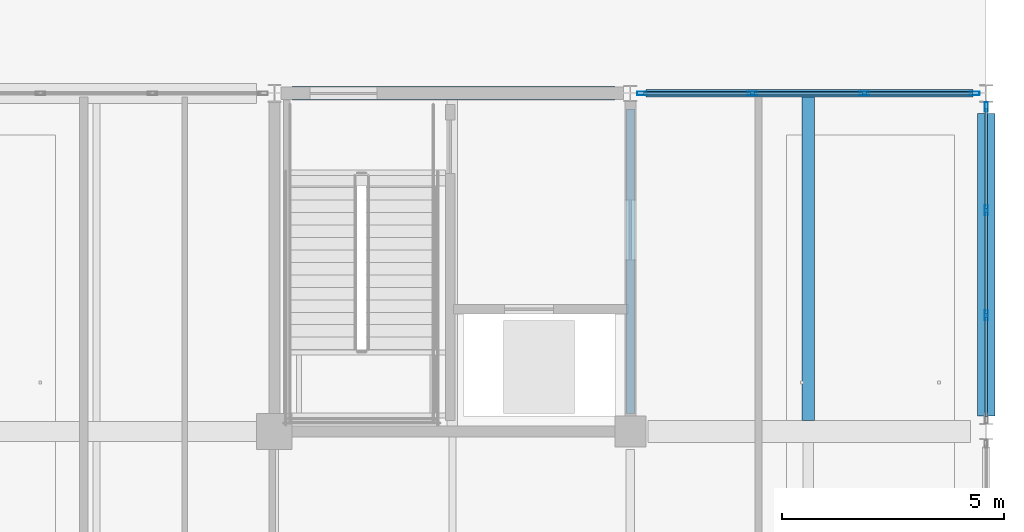
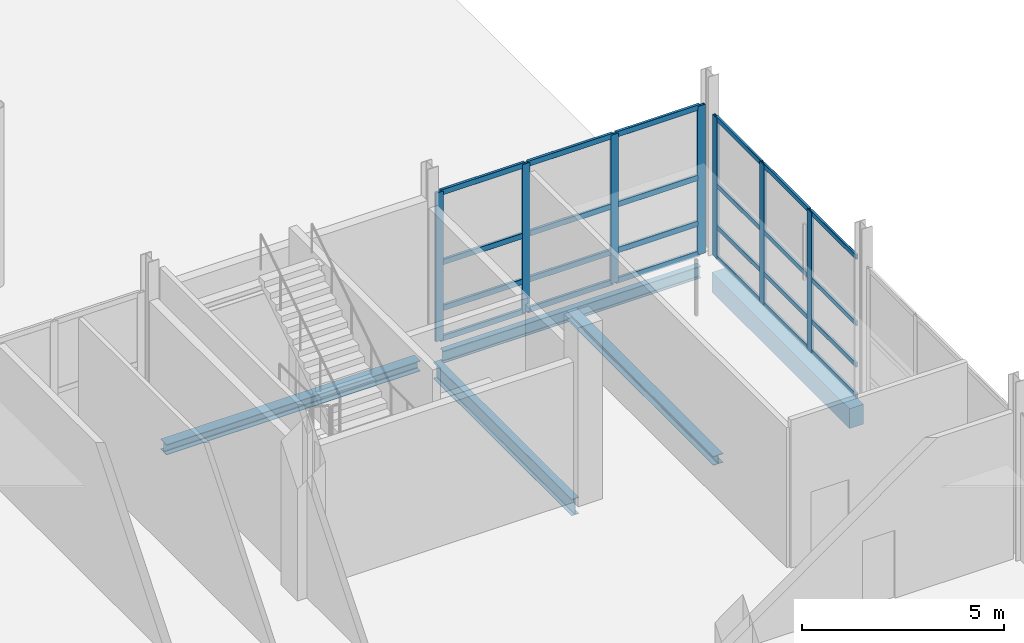
# One storey, part 45 of 126: 31 members, 5 beams, 2 elements without a shape of their own.
"""IFC4 building model written with IfcOpenShell, lengths in metres."""

from ifc_helpers import new_model, si_unit, direction, frame, origin, origin_2d, place, context, subcontext, project, spatial, rectangle, hollow_rectangle, i_section, extrude, material, material_profile, profile_set, type_object, element, aggregate, save


model = new_model("IFC4")

# Units and contexts
model_context = context("Model", 3, precision=1e-05, world=origin(), true_north=direction((0.0, 1.0)))
body_context = subcontext(model_context, "Body", "Model", "MODEL_VIEW")
ifc_project = project(units=[si_unit("LENGTHUNIT", "METRE"), si_unit("AREAUNIT", "SQUARE_METRE"), si_unit("VOLUMEUNIT", "CUBIC_METRE"), si_unit("PLANEANGLEUNIT", "RADIAN"), si_unit("MASSUNIT", "GRAM", prefix="KILO")], contexts=[model_context])

# Site, building, storey
site_placement = place(None, origin())
site = spatial("IfcSite", under=ifc_project, at=site_placement, CompositionType="ELEMENT")
building_placement = place(site_placement, origin())
building = spatial("IfcBuilding", under=site, at=building_placement, Name="Khelvaren Railside Concert Hall", CompositionType="ELEMENT")
storey_placement = place(building_placement, origin())
storey = spatial("IfcBuildingStorey", under=building, at=storey_placement, Name="L00", CompositionType="ELEMENT", Elevation=0.0)

# Beam
ifc_material_1 = material(Name="Steel S355", Category="steel")
ifc_material_profile_1 = material_profile(ifc_material_1, i_section(OverallWidth=0.199951171875, OverallDepth=0.5, WebThickness=0.01025390625, FlangeThickness=0.01611328125, FilletRadius=0.02099609375, at=origin_2d()), Name="IPE 500")
ifc_profile_set_1 = profile_set([ifc_material_profile_1], Name="Steel S355")
beam_type_1 = type_object("IfcBeamType", Name="BM62", PredefinedType="BEAM", material=ifc_profile_set_1)
beam_1_placement = place(storey_placement, frame((176.0, 30.800048828125, -0.570068359375), z_axis=(0.0, 1.0, 0.0), x_axis=(-1.0, 0.0, 0.0)))
element("IfcBeam", 1, at=beam_1_placement, inside=storey, type_object=beam_type_1, Name="V2 L00 Beam Y5.5", PredefinedType="BEAM", context=body_context, shape_type="SweptSolid", body=[
    extrude(i_section(OverallWidth=0.199951171875, OverallDepth=0.5, WebThickness=0.01025390625, FlangeThickness=0.01611328125, FilletRadius=0.02099609375, at=origin_2d()), origin(), (0.0, 0.0, 1.0), 6.849853515625),
])

# Curtain wall, members
ifc_material_2 = material(Name="Triple-glazed solar-control glass", Category="glass")
curtain_wall_type_1 = type_object("IfcCurtainWallType", Name="CW14", PredefinedType="USERDEFINED", material=ifc_material_2)
curtain_wall_1_placement = place(storey_placement, origin())
curtain_wall_1 = element("IfcCurtainWall", 2, at=curtain_wall_1_placement, inside=storey, type_object=curtain_wall_type_1, Name="Unitised Curtain Wall CW-V2-L00-N-176", ObjectType="UNITISED CURTAIN WALL", PredefinedType="USERDEFINED")
ifc_material_3 = material(Name="Anodised architectural aluminium 6063-T6", Category="aluminium")
ifc_material_profile_2 = material_profile(ifc_material_3, hollow_rectangle(XDim=0.074951171875, YDim=0.219970703125, WallThickness=0.0048828125, InnerFilletRadius=0.0029296875, OuterFilletRadius=0.0048828125, at=origin_2d()), Name="CWM 75x220x5")
ifc_profile_set_2 = profile_set([ifc_material_profile_2], Name="Anodised architectural aluminium 6063-T6")
member_type_1 = type_object("IfcMemberType", Name="CWM13", PredefinedType="MULLION", material=ifc_profile_set_2)
member_1_placement = place(storey_placement, frame((176.260009765625, 38.0, 0.0), z_axis=(0.0, 0.0, 1.0), x_axis=(0.0, 1.0, 0.0)))
member_1 = element("IfcMember", 3, at=member_1_placement, type_object=member_type_1, Name="CW14 mullion 1", PredefinedType="MULLION", context=body_context, shape_type="SweptSolid", body=[
    extrude(hollow_rectangle(XDim=0.074951171875, YDim=0.219970703125, WallThickness=0.0048828125, InnerFilletRadius=0.0029296875, OuterFilletRadius=0.0048828125, at=origin_2d()), origin(), (0.0, 0.0, 1.0), 4.489990234375),
])
member_2_placement = place(storey_placement, frame((178.74072265625, 38.0, 0.0), z_axis=(0.0, 0.0, 1.0), x_axis=(0.0, 1.0, 0.0)))
member_2 = element("IfcMember", 4, at=member_2_placement, type_object=member_type_1, Name="CW14 mullion 2", PredefinedType="MULLION", context=body_context, shape_type="SweptSolid", body=[
    extrude(hollow_rectangle(XDim=0.074951171875, YDim=0.219970703125, WallThickness=0.0048828125, InnerFilletRadius=0.0029296875, OuterFilletRadius=0.0048828125, at=origin_2d()), origin(), (0.0, 0.0, 1.0), 4.489990234375),
])
member_3_placement = place(storey_placement, frame((181.25927734375, 38.0, 0.0), z_axis=(0.0, 0.0, 1.0), x_axis=(0.0, 1.0, 0.0)))
member_3 = element("IfcMember", 5, at=member_3_placement, type_object=member_type_1, Name="CW14 mullion 3", PredefinedType="MULLION", context=body_context, shape_type="SweptSolid", body=[
    extrude(hollow_rectangle(XDim=0.074951171875, YDim=0.219970703125, WallThickness=0.0048828125, InnerFilletRadius=0.0029296875, OuterFilletRadius=0.0048828125, at=origin_2d()), origin(), (0.0, 0.0, 1.0), 4.489990234375),
])
member_4_placement = place(storey_placement, frame((183.739990234375, 38.0, 0.0), z_axis=(0.0, 0.0, 1.0), x_axis=(0.0, 1.0, 0.0)))
member_4 = element("IfcMember", 6, at=member_4_placement, type_object=member_type_1, Name="CW14 mullion 4", PredefinedType="MULLION", context=body_context, shape_type="SweptSolid", body=[
    extrude(hollow_rectangle(XDim=0.074951171875, YDim=0.219970703125, WallThickness=0.0048828125, InnerFilletRadius=0.0029296875, OuterFilletRadius=0.0048828125, at=origin_2d()), origin(), (0.0, 0.0, 1.0), 4.489990234375),
])

ifc_material_4 = material(Name="Double-glazed clear foyer glass", Category="glass")
curtain_wall_type_2 = type_object("IfcCurtainWallType", Name="CW68", PredefinedType="USERDEFINED", material=ifc_material_4)
curtain_wall_2_placement = place(storey_placement, origin())
curtain_wall_2 = element("IfcCurtainWall", 7, at=curtain_wall_2_placement, inside=storey, type_object=curtain_wall_type_2, Name="Unitised Curtain Wall CW-V2-L00-E-30", ObjectType="UNITISED CURTAIN WALL", PredefinedType="USERDEFINED")
member_5_placement = place(storey_placement, frame((184.0, 37.695068359375, 0.0), z_axis=(0.0, 0.0, 1.0), x_axis=(1.0, 0.0, 0.0)))
member_5 = element("IfcMember", 8, at=member_5_placement, type_object=member_type_1, Name="CW68 mullion 1", PredefinedType="MULLION", context=body_context, shape_type="SweptSolid", body=[
    extrude(hollow_rectangle(XDim=0.074951171875, YDim=0.219970703125, WallThickness=0.0048828125, InnerFilletRadius=0.0029296875, OuterFilletRadius=0.0048828125, at=origin_2d()), origin(), (0.0, 0.0, 1.0), 4.239990234375),
])
member_6_placement = place(storey_placement, frame((184.0, 35.37255859375, 0.0), z_axis=(0.0, 0.0, 1.0), x_axis=(1.0, 0.0, 0.0)))
member_6 = element("IfcMember", 9, at=member_6_placement, type_object=member_type_1, Name="CW68 mullion 2", PredefinedType="MULLION", context=body_context, shape_type="SweptSolid", body=[
    extrude(hollow_rectangle(XDim=0.074951171875, YDim=0.219970703125, WallThickness=0.0048828125, InnerFilletRadius=0.0029296875, OuterFilletRadius=0.0048828125, at=origin_2d()), origin(), (0.0, 0.0, 1.0), 4.239990234375),
])
member_7_placement = place(storey_placement, frame((184.0, 33.012451171875, 0.0), z_axis=(0.0, 0.0, 1.0), x_axis=(1.0, 0.0, 0.0)))
member_7 = element("IfcMember", 10, at=member_7_placement, type_object=member_type_1, Name="CW68 mullion 3", PredefinedType="MULLION", context=body_context, shape_type="SweptSolid", body=[
    extrude(hollow_rectangle(XDim=0.074951171875, YDim=0.219970703125, WallThickness=0.0048828125, InnerFilletRadius=0.0029296875, OuterFilletRadius=0.0048828125, at=origin_2d()), origin(), (0.0, 0.0, 1.0), 4.239990234375),
])

# Member
ifc_material_profile_3 = material_profile(ifc_material_3, hollow_rectangle(XDim=0.074951171875, YDim=0.1650390625, WallThickness=0.00390625, InnerFilletRadius=0.001953125, OuterFilletRadius=0.00390625, at=origin_2d()), Name="CWT 75x165x4")
ifc_profile_set_3 = profile_set([ifc_material_profile_3], Name="Anodised architectural aluminium 6063-T6")
member_type_2 = type_object("IfcMemberType", Name="CWT46", PredefinedType="USERDEFINED", material=ifc_profile_set_3)
member_8_placement = place(storey_placement, frame((176.297607421875, 38.0, 0.03759765625), z_axis=(1.0, 0.0, 0.0), x_axis=(0.0, 1.0, 0.0)))
member_8 = element("IfcMember", 11, at=member_8_placement, type_object=member_type_2, Name="CW14 transom 1.1", ObjectType="TRANSOM", PredefinedType="USERDEFINED", context=body_context, shape_type="SweptSolid", body=[
    extrude(hollow_rectangle(XDim=0.074951171875, YDim=0.1650390625, WallThickness=0.00390625, InnerFilletRadius=0.001953125, OuterFilletRadius=0.00390625, at=origin_2d()), origin(), (0.0, 0.0, 1.0), 2.40576171875),
])

member_9_placement = place(storey_placement, frame((176.297607421875, 38.0, 0.949951171875), z_axis=(1.0, 0.0, 0.0), x_axis=(0.0, 1.0, 0.0)))
member_9 = element("IfcMember", 12, at=member_9_placement, type_object=member_type_2, Name="CW14 transom 1.2", ObjectType="TRANSOM", PredefinedType="USERDEFINED", context=body_context, shape_type="SweptSolid", body=[
    extrude(hollow_rectangle(XDim=0.074951171875, YDim=0.1650390625, WallThickness=0.00390625, InnerFilletRadius=0.001953125, OuterFilletRadius=0.00390625, at=origin_2d()), origin(), (0.0, 0.0, 1.0), 2.40576171875),
])

member_10_placement = place(storey_placement, frame((176.297607421875, 38.0, 2.334716796875), z_axis=(1.0, 0.0, 0.0), x_axis=(0.0, 1.0, 0.0)))
member_10 = element("IfcMember", 13, at=member_10_placement, type_object=member_type_2, Name="CW14 transom 1.3", ObjectType="TRANSOM", PredefinedType="USERDEFINED", context=body_context, shape_type="SweptSolid", body=[
    extrude(hollow_rectangle(XDim=0.074951171875, YDim=0.1650390625, WallThickness=0.00390625, InnerFilletRadius=0.001953125, OuterFilletRadius=0.00390625, at=origin_2d()), origin(), (0.0, 0.0, 1.0), 2.40576171875),
])

member_11_placement = place(storey_placement, frame((176.297607421875, 38.0, 4.452392578125), z_axis=(1.0, 0.0, 0.0), x_axis=(0.0, 1.0, 0.0)))
member_11 = element("IfcMember", 14, at=member_11_placement, type_object=member_type_2, Name="CW14 transom 1.4", ObjectType="TRANSOM", PredefinedType="USERDEFINED", context=body_context, shape_type="SweptSolid", body=[
    extrude(hollow_rectangle(XDim=0.074951171875, YDim=0.1650390625, WallThickness=0.00390625, InnerFilletRadius=0.001953125, OuterFilletRadius=0.00390625, at=origin_2d()), origin(), (0.0, 0.0, 1.0), 2.40576171875),
])

member_12_placement = place(storey_placement, frame((178.7783203125, 38.0, 0.03759765625), z_axis=(1.0, 0.0, 0.0), x_axis=(0.0, 1.0, 0.0)))
member_12 = element("IfcMember", 15, at=member_12_placement, type_object=member_type_2, Name="CW14 transom 2.1", ObjectType="TRANSOM", PredefinedType="USERDEFINED", context=body_context, shape_type="SweptSolid", body=[
    extrude(hollow_rectangle(XDim=0.074951171875, YDim=0.1650390625, WallThickness=0.00390625, InnerFilletRadius=0.001953125, OuterFilletRadius=0.00390625, at=origin_2d()), origin(), (0.0, 0.0, 1.0), 2.443359375),
])

member_13_placement = place(storey_placement, frame((178.7783203125, 38.0, 0.949951171875), z_axis=(1.0, 0.0, 0.0), x_axis=(0.0, 1.0, 0.0)))
member_13 = element("IfcMember", 16, at=member_13_placement, type_object=member_type_2, Name="CW14 transom 2.2", ObjectType="TRANSOM", PredefinedType="USERDEFINED", context=body_context, shape_type="SweptSolid", body=[
    extrude(hollow_rectangle(XDim=0.074951171875, YDim=0.1650390625, WallThickness=0.00390625, InnerFilletRadius=0.001953125, OuterFilletRadius=0.00390625, at=origin_2d()), origin(), (0.0, 0.0, 1.0), 2.443359375),
])

member_14_placement = place(storey_placement, frame((178.7783203125, 38.0, 2.334716796875), z_axis=(1.0, 0.0, 0.0), x_axis=(0.0, 1.0, 0.0)))
member_14 = element("IfcMember", 17, at=member_14_placement, type_object=member_type_2, Name="CW14 transom 2.3", ObjectType="TRANSOM", PredefinedType="USERDEFINED", context=body_context, shape_type="SweptSolid", body=[
    extrude(hollow_rectangle(XDim=0.074951171875, YDim=0.1650390625, WallThickness=0.00390625, InnerFilletRadius=0.001953125, OuterFilletRadius=0.00390625, at=origin_2d()), origin(), (0.0, 0.0, 1.0), 2.443359375),
])

member_15_placement = place(storey_placement, frame((178.7783203125, 38.0, 4.452392578125), z_axis=(1.0, 0.0, 0.0), x_axis=(0.0, 1.0, 0.0)))
member_15 = element("IfcMember", 18, at=member_15_placement, type_object=member_type_2, Name="CW14 transom 2.4", ObjectType="TRANSOM", PredefinedType="USERDEFINED", context=body_context, shape_type="SweptSolid", body=[
    extrude(hollow_rectangle(XDim=0.074951171875, YDim=0.1650390625, WallThickness=0.00390625, InnerFilletRadius=0.001953125, OuterFilletRadius=0.00390625, at=origin_2d()), origin(), (0.0, 0.0, 1.0), 2.443359375),
])

member_16_placement = place(storey_placement, frame((181.296630859375, 38.0, 0.03759765625), z_axis=(1.0, 0.0, 0.0), x_axis=(0.0, 1.0, 0.0)))
member_16 = element("IfcMember", 19, at=member_16_placement, type_object=member_type_2, Name="CW14 transom 3.1", ObjectType="TRANSOM", PredefinedType="USERDEFINED", context=body_context, shape_type="SweptSolid", body=[
    extrude(hollow_rectangle(XDim=0.074951171875, YDim=0.1650390625, WallThickness=0.00390625, InnerFilletRadius=0.001953125, OuterFilletRadius=0.00390625, at=origin_2d()), origin(), (0.0, 0.0, 1.0), 2.40576171875),
])

member_17_placement = place(storey_placement, frame((181.296630859375, 38.0, 0.949951171875), z_axis=(1.0, 0.0, 0.0), x_axis=(0.0, 1.0, 0.0)))
member_17 = element("IfcMember", 20, at=member_17_placement, type_object=member_type_2, Name="CW14 transom 3.2", ObjectType="TRANSOM", PredefinedType="USERDEFINED", context=body_context, shape_type="SweptSolid", body=[
    extrude(hollow_rectangle(XDim=0.074951171875, YDim=0.1650390625, WallThickness=0.00390625, InnerFilletRadius=0.001953125, OuterFilletRadius=0.00390625, at=origin_2d()), origin(), (0.0, 0.0, 1.0), 2.40576171875),
])

member_18_placement = place(storey_placement, frame((181.296630859375, 38.0, 2.334716796875), z_axis=(1.0, 0.0, 0.0), x_axis=(0.0, 1.0, 0.0)))
member_18 = element("IfcMember", 21, at=member_18_placement, type_object=member_type_2, Name="CW14 transom 3.3", ObjectType="TRANSOM", PredefinedType="USERDEFINED", context=body_context, shape_type="SweptSolid", body=[
    extrude(hollow_rectangle(XDim=0.074951171875, YDim=0.1650390625, WallThickness=0.00390625, InnerFilletRadius=0.001953125, OuterFilletRadius=0.00390625, at=origin_2d()), origin(), (0.0, 0.0, 1.0), 2.40576171875),
])

member_19_placement = place(storey_placement, frame((181.296630859375, 38.0, 4.452392578125), z_axis=(1.0, 0.0, 0.0), x_axis=(0.0, 1.0, 0.0)))
member_19 = element("IfcMember", 22, at=member_19_placement, type_object=member_type_2, Name="CW14 transom 3.4", ObjectType="TRANSOM", PredefinedType="USERDEFINED", context=body_context, shape_type="SweptSolid", body=[
    extrude(hollow_rectangle(XDim=0.074951171875, YDim=0.1650390625, WallThickness=0.00390625, InnerFilletRadius=0.001953125, OuterFilletRadius=0.00390625, at=origin_2d()), origin(), (0.0, 0.0, 1.0), 2.40576171875),
])

aggregate(curtain_wall_1, [member_1, member_2, member_3, member_4, member_8, member_9, member_10, member_11, member_12, member_13, member_14, member_15, member_16, member_17, member_18, member_19])

ifc_material_profile_4 = material_profile(ifc_material_3, hollow_rectangle(XDim=0.06494140625, YDim=0.139892578125, WallThickness=0.00390625, InnerFilletRadius=0.001953125, OuterFilletRadius=0.00390625, at=origin_2d()), Name="CWT 65x140x4")
ifc_profile_set_4 = profile_set([ifc_material_profile_4], Name="Anodised architectural aluminium 6063-T6")
member_type_3 = type_object("IfcMemberType", Name="CWT72", PredefinedType="USERDEFINED", material=ifc_profile_set_4)
member_20_placement = place(storey_placement, frame((184.0, 37.657470703125, 0.032470703125), z_axis=(0.0, -1.0, 0.0), x_axis=(1.0, 0.0, 0.0)))
member_20 = element("IfcMember", 23, at=member_20_placement, type_object=member_type_3, Name="CW68 transom 1.1", ObjectType="TRANSOM", PredefinedType="USERDEFINED", context=body_context, shape_type="SweptSolid", body=[
    extrude(hollow_rectangle(XDim=0.06494140625, YDim=0.139892578125, WallThickness=0.00390625, InnerFilletRadius=0.001953125, OuterFilletRadius=0.00390625, at=origin_2d()), origin(), (0.0, 0.0, 1.0), 2.24755859375),
])

member_21_placement = place(storey_placement, frame((184.0, 37.657470703125, 0.949951171875), z_axis=(0.0, -1.0, 0.0), x_axis=(1.0, 0.0, 0.0)))
member_21 = element("IfcMember", 24, at=member_21_placement, type_object=member_type_3, Name="CW68 transom 1.2", ObjectType="TRANSOM", PredefinedType="USERDEFINED", context=body_context, shape_type="SweptSolid", body=[
    extrude(hollow_rectangle(XDim=0.06494140625, YDim=0.139892578125, WallThickness=0.00390625, InnerFilletRadius=0.001953125, OuterFilletRadius=0.00390625, at=origin_2d()), origin(), (0.0, 0.0, 1.0), 2.24755859375),
])

member_22_placement = place(storey_placement, frame((184.0, 37.657470703125, 2.204833984375), z_axis=(0.0, -1.0, 0.0), x_axis=(1.0, 0.0, 0.0)))
member_22 = element("IfcMember", 25, at=member_22_placement, type_object=member_type_3, Name="CW68 transom 1.3", ObjectType="TRANSOM", PredefinedType="USERDEFINED", context=body_context, shape_type="SweptSolid", body=[
    extrude(hollow_rectangle(XDim=0.06494140625, YDim=0.139892578125, WallThickness=0.00390625, InnerFilletRadius=0.001953125, OuterFilletRadius=0.00390625, at=origin_2d()), origin(), (0.0, 0.0, 1.0), 2.24755859375),
])

member_23_placement = place(storey_placement, frame((184.0, 37.657470703125, 4.20751953125), z_axis=(0.0, -1.0, 0.0), x_axis=(1.0, 0.0, 0.0)))
member_23 = element("IfcMember", 26, at=member_23_placement, type_object=member_type_3, Name="CW68 transom 1.4", ObjectType="TRANSOM", PredefinedType="USERDEFINED", context=body_context, shape_type="SweptSolid", body=[
    extrude(hollow_rectangle(XDim=0.06494140625, YDim=0.139892578125, WallThickness=0.00390625, InnerFilletRadius=0.001953125, OuterFilletRadius=0.00390625, at=origin_2d()), origin(), (0.0, 0.0, 1.0), 2.24755859375),
])

member_24_placement = place(storey_placement, frame((184.0, 35.3349609375, 0.032470703125), z_axis=(0.0, -1.0, 0.0), x_axis=(1.0, 0.0, 0.0)))
member_24 = element("IfcMember", 27, at=member_24_placement, type_object=member_type_3, Name="CW68 transom 2.1", ObjectType="TRANSOM", PredefinedType="USERDEFINED", context=body_context, shape_type="SweptSolid", body=[
    extrude(hollow_rectangle(XDim=0.06494140625, YDim=0.139892578125, WallThickness=0.00390625, InnerFilletRadius=0.001953125, OuterFilletRadius=0.00390625, at=origin_2d()), origin(), (0.0, 0.0, 1.0), 2.284912109375),
])

member_25_placement = place(storey_placement, frame((184.0, 35.3349609375, 0.949951171875), z_axis=(0.0, -1.0, 0.0), x_axis=(1.0, 0.0, 0.0)))
member_25 = element("IfcMember", 28, at=member_25_placement, type_object=member_type_3, Name="CW68 transom 2.2", ObjectType="TRANSOM", PredefinedType="USERDEFINED", context=body_context, shape_type="SweptSolid", body=[
    extrude(hollow_rectangle(XDim=0.06494140625, YDim=0.139892578125, WallThickness=0.00390625, InnerFilletRadius=0.001953125, OuterFilletRadius=0.00390625, at=origin_2d()), origin(), (0.0, 0.0, 1.0), 2.284912109375),
])

member_26_placement = place(storey_placement, frame((184.0, 35.3349609375, 2.204833984375), z_axis=(0.0, -1.0, 0.0), x_axis=(1.0, 0.0, 0.0)))
member_26 = element("IfcMember", 29, at=member_26_placement, type_object=member_type_3, Name="CW68 transom 2.3", ObjectType="TRANSOM", PredefinedType="USERDEFINED", context=body_context, shape_type="SweptSolid", body=[
    extrude(hollow_rectangle(XDim=0.06494140625, YDim=0.139892578125, WallThickness=0.00390625, InnerFilletRadius=0.001953125, OuterFilletRadius=0.00390625, at=origin_2d()), origin(), (0.0, 0.0, 1.0), 2.284912109375),
])

member_27_placement = place(storey_placement, frame((184.0, 35.3349609375, 4.20751953125), z_axis=(0.0, -1.0, 0.0), x_axis=(1.0, 0.0, 0.0)))
member_27 = element("IfcMember", 30, at=member_27_placement, type_object=member_type_3, Name="CW68 transom 2.4", ObjectType="TRANSOM", PredefinedType="USERDEFINED", context=body_context, shape_type="SweptSolid", body=[
    extrude(hollow_rectangle(XDim=0.06494140625, YDim=0.139892578125, WallThickness=0.00390625, InnerFilletRadius=0.001953125, OuterFilletRadius=0.00390625, at=origin_2d()), origin(), (0.0, 0.0, 1.0), 2.284912109375),
])

member_28_placement = place(storey_placement, frame((184.0, 32.97509765625, 0.032470703125), z_axis=(0.0, -1.0, 0.0), x_axis=(1.0, 0.0, 0.0)))
member_28 = element("IfcMember", 31, at=member_28_placement, type_object=member_type_3, Name="CW68 transom 3.1", ObjectType="TRANSOM", PredefinedType="USERDEFINED", context=body_context, shape_type="SweptSolid", body=[
    extrude(hollow_rectangle(XDim=0.06494140625, YDim=0.139892578125, WallThickness=0.00390625, InnerFilletRadius=0.001953125, OuterFilletRadius=0.00390625, at=origin_2d()), origin(), (0.0, 0.0, 1.0), 2.24755859375),
])

member_29_placement = place(storey_placement, frame((184.0, 32.97509765625, 0.949951171875), z_axis=(0.0, -1.0, 0.0), x_axis=(1.0, 0.0, 0.0)))
member_29 = element("IfcMember", 32, at=member_29_placement, type_object=member_type_3, Name="CW68 transom 3.2", ObjectType="TRANSOM", PredefinedType="USERDEFINED", context=body_context, shape_type="SweptSolid", body=[
    extrude(hollow_rectangle(XDim=0.06494140625, YDim=0.139892578125, WallThickness=0.00390625, InnerFilletRadius=0.001953125, OuterFilletRadius=0.00390625, at=origin_2d()), origin(), (0.0, 0.0, 1.0), 2.24755859375),
])

member_30_placement = place(storey_placement, frame((184.0, 32.97509765625, 2.204833984375), z_axis=(0.0, -1.0, 0.0), x_axis=(1.0, 0.0, 0.0)))
member_30 = element("IfcMember", 33, at=member_30_placement, type_object=member_type_3, Name="CW68 transom 3.3", ObjectType="TRANSOM", PredefinedType="USERDEFINED", context=body_context, shape_type="SweptSolid", body=[
    extrude(hollow_rectangle(XDim=0.06494140625, YDim=0.139892578125, WallThickness=0.00390625, InnerFilletRadius=0.001953125, OuterFilletRadius=0.00390625, at=origin_2d()), origin(), (0.0, 0.0, 1.0), 2.24755859375),
])

member_31_placement = place(storey_placement, frame((184.0, 32.97509765625, 4.20751953125), z_axis=(0.0, -1.0, 0.0), x_axis=(1.0, 0.0, 0.0)))
member_31 = element("IfcMember", 34, at=member_31_placement, type_object=member_type_3, Name="CW68 transom 3.4", ObjectType="TRANSOM", PredefinedType="USERDEFINED", context=body_context, shape_type="SweptSolid", body=[
    extrude(hollow_rectangle(XDim=0.06494140625, YDim=0.139892578125, WallThickness=0.00390625, InnerFilletRadius=0.001953125, OuterFilletRadius=0.00390625, at=origin_2d()), origin(), (0.0, 0.0, 1.0), 2.24755859375),
])

aggregate(curtain_wall_2, [member_5, member_6, member_7, member_20, member_21, member_22, member_23, member_24, member_25, member_26, member_27, member_28, member_29, member_30, member_31])

# Beams
ifc_material_profile_5 = material_profile(ifc_material_1, i_section(OverallWidth=0.280029296875, OverallDepth=0.27001953125, WebThickness=0.008056640625, FlangeThickness=0.012939453125, FilletRadius=0.02392578125, at=origin_2d()), Name="HEA 280")
ifc_profile_set_5 = profile_set([ifc_material_profile_5], Name="Steel S355")
beam_type_2 = type_object("IfcBeamType", Name="JS46", PredefinedType="JOIST", material=ifc_profile_set_5)
beam_2_placement = place(storey_placement, frame((180.0, 30.64990234375, -0.455078125), z_axis=(0.0, 1.0, 0.0), x_axis=(-1.0, 0.0, 0.0)))
element("IfcBeam", 35, at=beam_2_placement, inside=storey, type_object=beam_type_2, Name="V2 L00 Secondary Joist 5.5", PredefinedType="JOIST", context=body_context, shape_type="SweptSolid", body=[
    extrude(i_section(OverallWidth=0.280029296875, OverallDepth=0.27001953125, WebThickness=0.008056640625, FlangeThickness=0.012939453125, FilletRadius=0.02392578125, at=origin_2d()), origin(), (0.0, 0.0, 1.0), 7.26513671875),
])
ifc_material_profile_6 = material_profile(ifc_material_1, i_section(OverallWidth=0.300048828125, OverallDepth=0.31005859375, WebThickness=0.009033203125, FlangeThickness=0.015380859375, FilletRadius=0.027099609375, at=origin_2d()), Name="HEA 320")
ifc_profile_set_6 = profile_set([ifc_material_profile_6], Name="Steel S355")
beam_type_3 = type_object("IfcBeamType", Name="SP66", PredefinedType="SPANDREL", material=ifc_profile_set_6)
beam_3_placement = place(storey_placement, frame((168.39990234375, 38.0, -0.47509765625), z_axis=(1.0, 0.0, 0.0), x_axis=(0.0, 1.0, 0.0)))
element("IfcBeam", 36, at=beam_3_placement, inside=storey, type_object=beam_type_3, Name="V2 L00 Spandrel X6.4", PredefinedType="SPANDREL", context=body_context, shape_type="SweptSolid", body=[
    extrude(i_section(OverallWidth=0.300048828125, OverallDepth=0.31005859375, WebThickness=0.009033203125, FlangeThickness=0.015380859375, FilletRadius=0.027099609375, at=origin_2d()), origin(), (0.0, 0.0, 1.0), 7.25),
])
ifc_material_profile_7 = material_profile(ifc_material_1, i_section(OverallWidth=0.169921875, OverallDepth=0.360107421875, WebThickness=0.008056640625, FlangeThickness=0.0126953125, FilletRadius=0.01806640625, at=origin_2d()), Name="IPE 360")
ifc_profile_set_7 = profile_set([ifc_material_profile_7], Name="Steel S355")
beam_type_4 = type_object("IfcBeamType", Name="SP74", PredefinedType="SPANDREL", material=ifc_profile_set_7)
beam_4_placement = place(storey_placement, frame((176.35009765625, 38.0, -0.5), z_axis=(1.0, 0.0, 0.0), x_axis=(0.0, 1.0, 0.0)))
element("IfcBeam", 37, at=beam_4_placement, inside=storey, type_object=beam_type_4, Name="V2 L00 Spandrel X6.5", PredefinedType="SPANDREL", context=body_context, shape_type="SweptSolid", body=[
    extrude(i_section(OverallWidth=0.169921875, OverallDepth=0.360107421875, WebThickness=0.008056640625, FlangeThickness=0.0126953125, FilletRadius=0.01806640625, at=origin_2d()), origin(), (0.0, 0.0, 1.0), 7.349853515625),
])
ifc_material_5 = material(Name="Concrete C40/50", Category="concrete")
ifc_material_profile_8 = material_profile(ifc_material_5, rectangle(XDim=0.39990234375, YDim=0.60009765625, at=origin_2d()), Name="RCB 400x600")
ifc_profile_set_8 = profile_set([ifc_material_profile_8], Name="Concrete C40/50")
beam_type_5 = type_object("IfcBeamType", Name="SP75", PredefinedType="SPANDREL", material=ifc_profile_set_8)
beam_5_placement = place(storey_placement, frame((184.0, 30.75, -0.6201171875), z_axis=(0.0, 1.0, 0.0), x_axis=(-1.0, 0.0, 0.0)))
element("IfcBeam", 38, at=beam_5_placement, inside=storey, type_object=beam_type_5, Name="V2 L00 Spandrel Y6.5", PredefinedType="SPANDREL", context=body_context, shape_type="SweptSolid", body=[
    extrude(rectangle(XDim=0.39990234375, YDim=0.60009765625, at=origin_2d()), origin(), (0.0, 0.0, 1.0), 6.800048828125),
])

save(model, "model.ifc")
